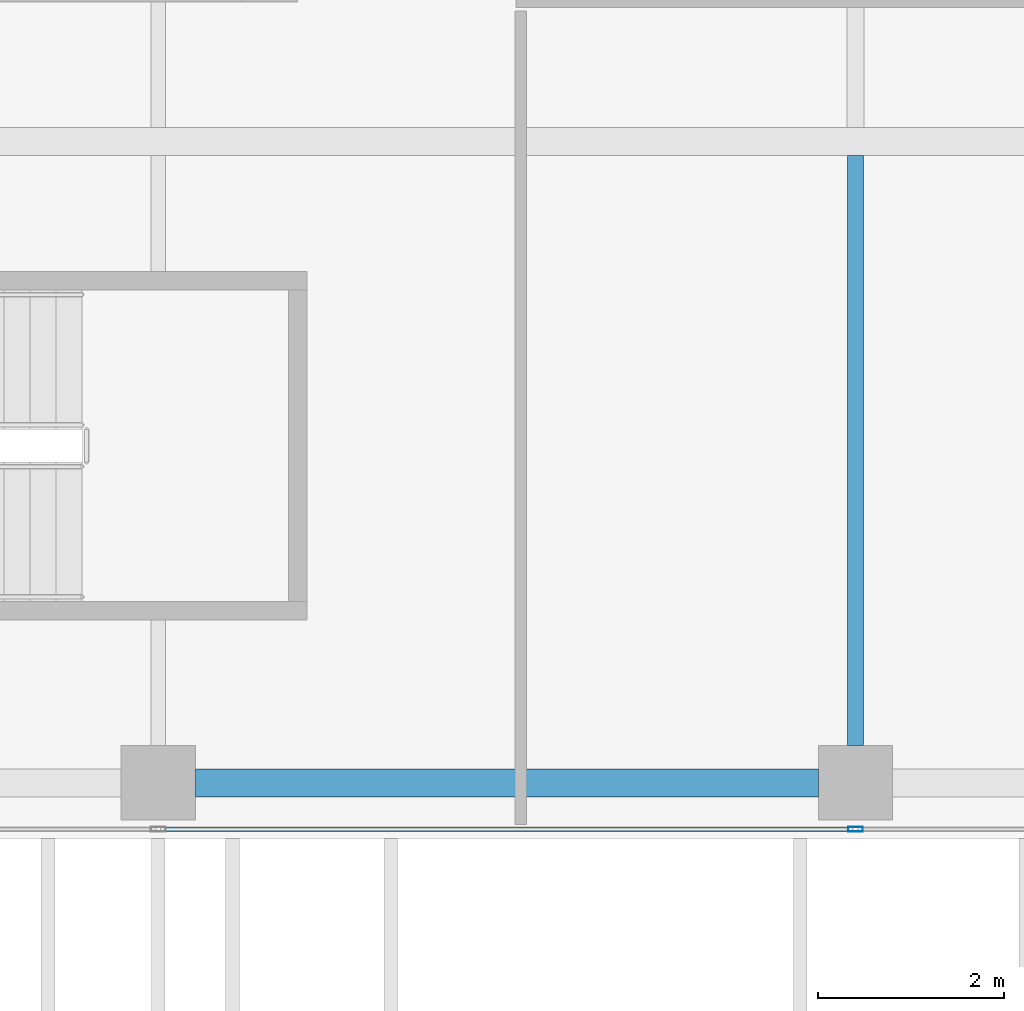
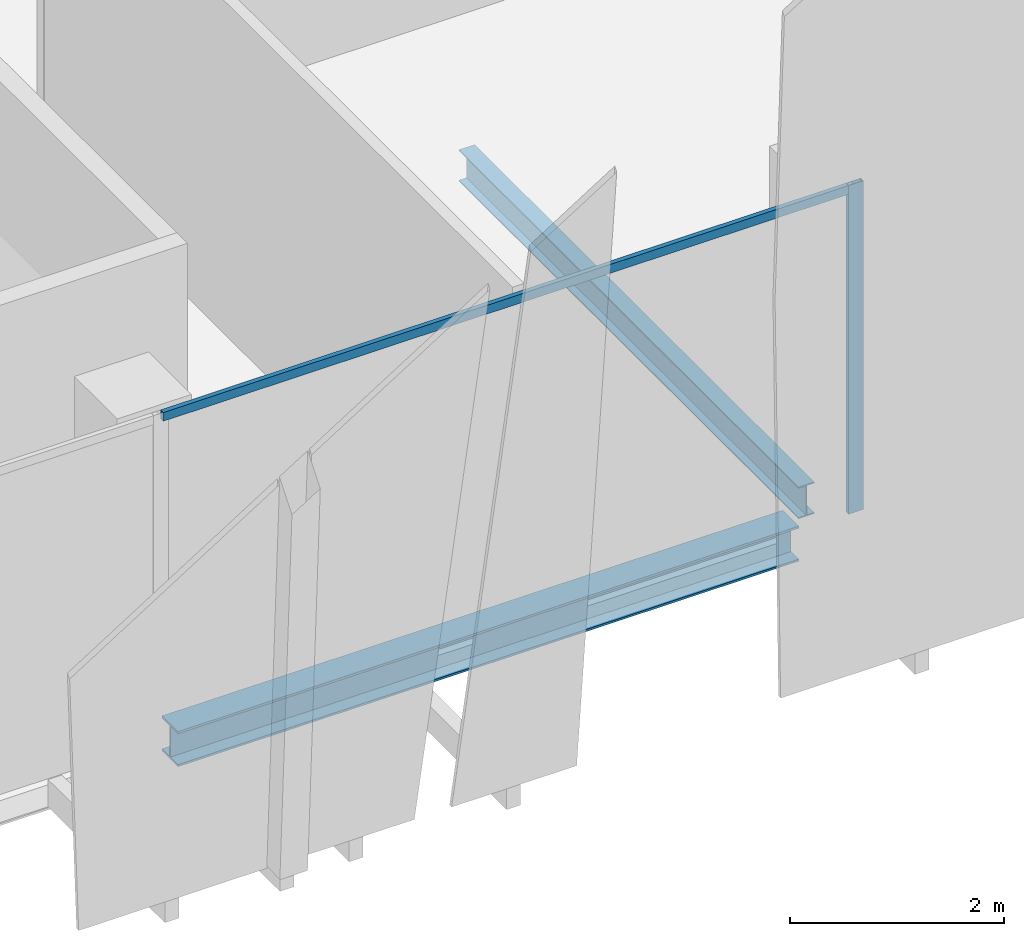
# One storey, part 4 of 32: 2 beams, 2 members, 1 element without a shape of its own.
"""IFC4 building model written with IfcOpenShell, lengths in metres."""

from ifc_helpers import new_model, si_unit, direction, frame, origin, origin_2d, place, context, subcontext, project, spatial, hollow_rectangle, i_section, extrude, source, transform, mapped, material, material_profile, profile_set, type_object, element, aggregate, save


model = new_model("IFC4")

# Units and contexts
model_context = context("Model", 3, precision=1e-05, world=origin(), true_north=direction((0.0, 1.0)))
body_context = subcontext(model_context, "Body", "Model", "MODEL_VIEW")
ifc_project = project(units=[si_unit("LENGTHUNIT", "METRE"), si_unit("AREAUNIT", "SQUARE_METRE"), si_unit("VOLUMEUNIT", "CUBIC_METRE"), si_unit("PLANEANGLEUNIT", "RADIAN"), si_unit("MASSUNIT", "GRAM", prefix="KILO")], contexts=[model_context])

# Site, building, storey
site_placement = place(None, origin())
site = spatial("IfcSite", under=ifc_project, at=site_placement, CompositionType="ELEMENT")
building_placement = place(site_placement, origin())
building = spatial("IfcBuilding", under=site, at=building_placement, Name="Khomas Fold Tower", CompositionType="ELEMENT")
storey_placement = place(building_placement, frame((0.0, 0.0, 306.199951171875)))
storey = spatial("IfcBuildingStorey", under=building, at=storey_placement, Name="L69", CompositionType="ELEMENT", Elevation=306.199951171875)

# Beams
ifc_material_1 = material(Name="Steel S355", Category="steel")
ifc_material_profile_1 = material_profile(ifc_material_1, i_section(OverallWidth=0.300048828125, OverallDepth=0.39990234375, WebThickness=0.013427734375, FlangeThickness=0.02392578125, at=origin_2d()), Name="HE 400 B")
ifc_profile_set_1 = profile_set([ifc_material_profile_1], Name="Steel S355")
beam_type_1 = type_object("IfcBeamType", Name="HE 400 B spandrel SB5", PredefinedType="SPANDREL", material=ifc_profile_set_1)
shared_shape_1 = source(origin(), body_context, "Body", "SweptSolid", [
    extrude(i_section(OverallWidth=0.300048828125, OverallDepth=0.39990234375, WebThickness=0.013427734375, FlangeThickness=0.02392578125, at=origin_2d()), origin(), (0.0, 0.0, 1.0), 6.7001953125),
])
beam_1_placement = place(storey_placement, frame((19.89990234375, 6.60009765625, -0.449951171875), z_axis=(1.0, 0.0, 0.0), x_axis=(0.0, 1.0, 0.0)))
element("IfcBeam", 1, at=beam_1_placement, inside=storey, type_object=beam_type_1, Name="SB5", PredefinedType="SPANDREL", context=body_context, shape_type="MappedRepresentation", body=[
    mapped(shared_shape_1, transform((0.0, 0.0, 0.0))),
])
ifc_material_2 = material(Name="Steel S355", Category="steel")
ifc_material_profile_2 = material_profile(ifc_material_2, i_section(OverallWidth=0.169921875, OverallDepth=0.360107421875, WebThickness=0.008056640625, FlangeThickness=0.0126953125, at=origin_2d()), Name="IPE 360")
ifc_profile_set_2 = profile_set([ifc_material_profile_2], Name="Steel S355")
beam_type_2 = type_object("IfcBeamType", Name="IPE 360 beam JB2", PredefinedType="BEAM", material=ifc_profile_set_2)
shared_shape_2 = source(origin(), body_context, "Body", "SweptSolid", [
    extrude(i_section(OverallWidth=0.169921875, OverallDepth=0.360107421875, WebThickness=0.008056640625, FlangeThickness=0.0126953125, at=origin_2d()), origin(), (0.0, 0.0, 1.0), 6.35009765625),
])
beam_2_placement = place(storey_placement, frame((27.0, 7.0, -0.429931640625), z_axis=(0.0, 1.0, 0.0), x_axis=(-1.0, 0.0, 0.0)))
element("IfcBeam", 2, at=beam_2_placement, inside=storey, type_object=beam_type_2, Name="JB2", PredefinedType="BEAM", context=body_context, shape_type="MappedRepresentation", body=[
    mapped(shared_shape_2, transform((0.0, 0.0, 0.0))),
])

# Curtain wall, members
ifc_material_3 = material(Name="Aluminium framed double glazing", Category="aluminium")
curtain_wall_type = type_object("IfcCurtainWallType", Name="SK-Unitised clear-glass wall, upper floors CW3", PredefinedType="NOTDEFINED", material=ifc_material_3)
curtain_wall_placement = place(storey_placement, origin())
curtain_wall = element("IfcCurtainWall", 3, at=curtain_wall_placement, inside=storey, type_object=curtain_wall_type, Name="CW3 run L69 00-0", PredefinedType="NOTDEFINED")
ifc_material_4 = material(Name="Aluminium", Category="aluminium")
ifc_material_profile_3 = material_profile(ifc_material_4, hollow_rectangle(XDim=0.050048828125, YDim=0.159912109375, WallThickness=0.00390625, at=origin_2d()), Name="SK-Unitised clear-glass wall, upper floors mullion CW3-M")
ifc_profile_set_3 = profile_set([ifc_material_profile_3], Name="Aluminium")
member_type_1 = type_object("IfcMemberType", Name="SK-Unitised clear-glass wall, upper floors mullion CW3-M", PredefinedType="MULLION", material=ifc_profile_set_3)
shared_shape_3 = source(origin(), body_context, "Body", "SweptSolid", [
    extrude(hollow_rectangle(XDim=0.050048828125, YDim=0.159912109375, WallThickness=0.00390625, at=origin_2d()), origin(), (0.0, 0.0, 1.0), 3.75),
])
member_1_placement = place(storey_placement, frame((27.0, 6.10009765625, 0.0), z_axis=(0.0, 0.0, 1.0), x_axis=(0.0, 1.0, 0.0)))
member_1 = element("IfcMember", 4, at=member_1_placement, type_object=member_type_1, Name="CW3 mullion 4", PredefinedType="MULLION", context=body_context, shape_type="MappedRepresentation", body=[
    mapped(shared_shape_3, transform((0.0, 0.0, 0.0))),
])
ifc_material_5 = material(Name="Aluminium", Category="aluminium")
ifc_material_profile_4 = material_profile(ifc_material_5, hollow_rectangle(XDim=0.050048828125, YDim=0.10009765625, WallThickness=0.00390625, at=origin_2d()), Name="SK-Unitised clear-glass wall, upper floors transom CW3-T")
ifc_profile_set_4 = profile_set([ifc_material_profile_4], Name="Aluminium")
member_type_2 = type_object("IfcMemberType", Name="SK-Unitised clear-glass wall, upper floors transom CW3-T", PredefinedType="USERDEFINED", material=ifc_profile_set_4)
shared_shape_4 = source(origin(), body_context, "Body", "SweptSolid", [
    extrude(hollow_rectangle(XDim=0.050048828125, YDim=0.10009765625, WallThickness=0.00390625, at=origin_2d()), origin(), (0.0, 0.0, 1.0), 7.4501953125),
])
member_2_placement = place(storey_placement, frame((19.52490234375, 6.10009765625, 3.699951171875), z_axis=(1.0, 0.0, 0.0), x_axis=(0.0, 1.0, 0.0)))
member_2 = element("IfcMember", 5, at=member_2_placement, type_object=member_type_2, Name="CW3 transom 3", ObjectType="TRANSOM", PredefinedType="USERDEFINED", context=body_context, shape_type="MappedRepresentation", body=[
    mapped(shared_shape_4, transform((0.0, 0.0, 0.0))),
])
aggregate(curtain_wall, [member_1, member_2])

save(model, "model.ifc")
